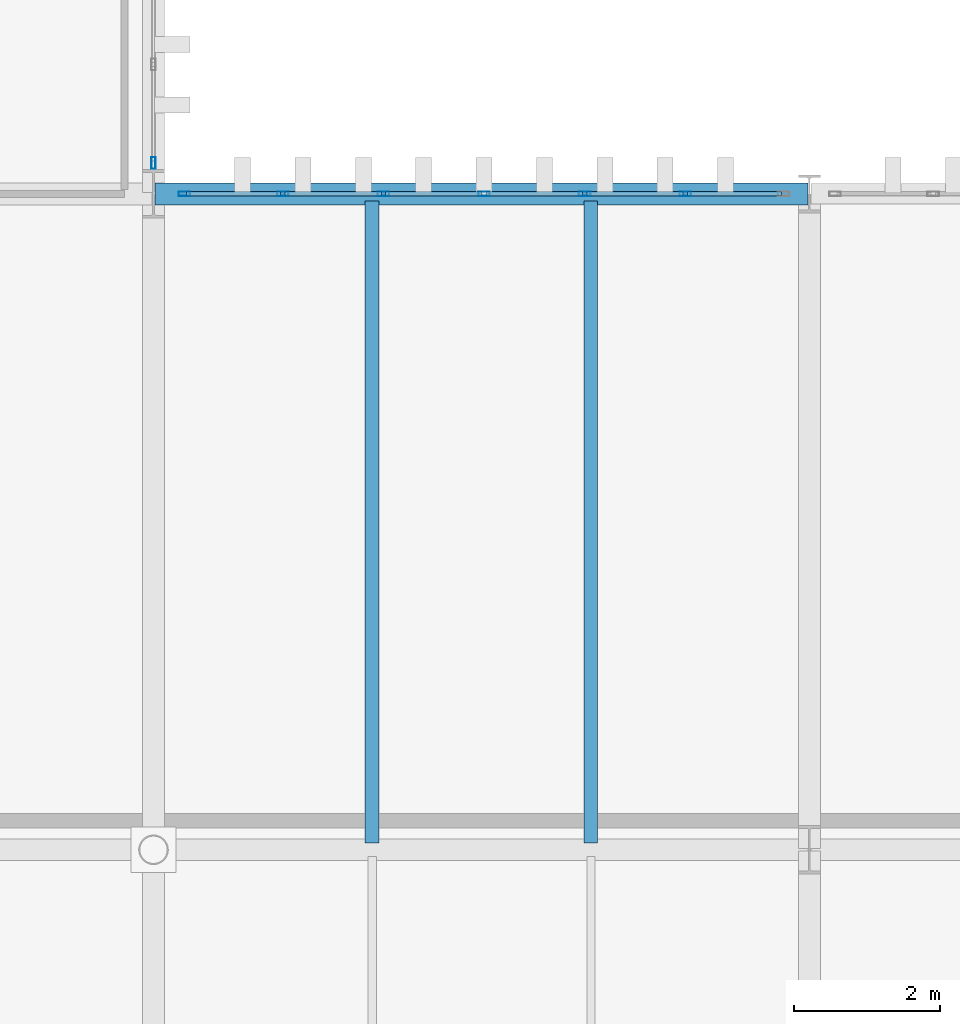
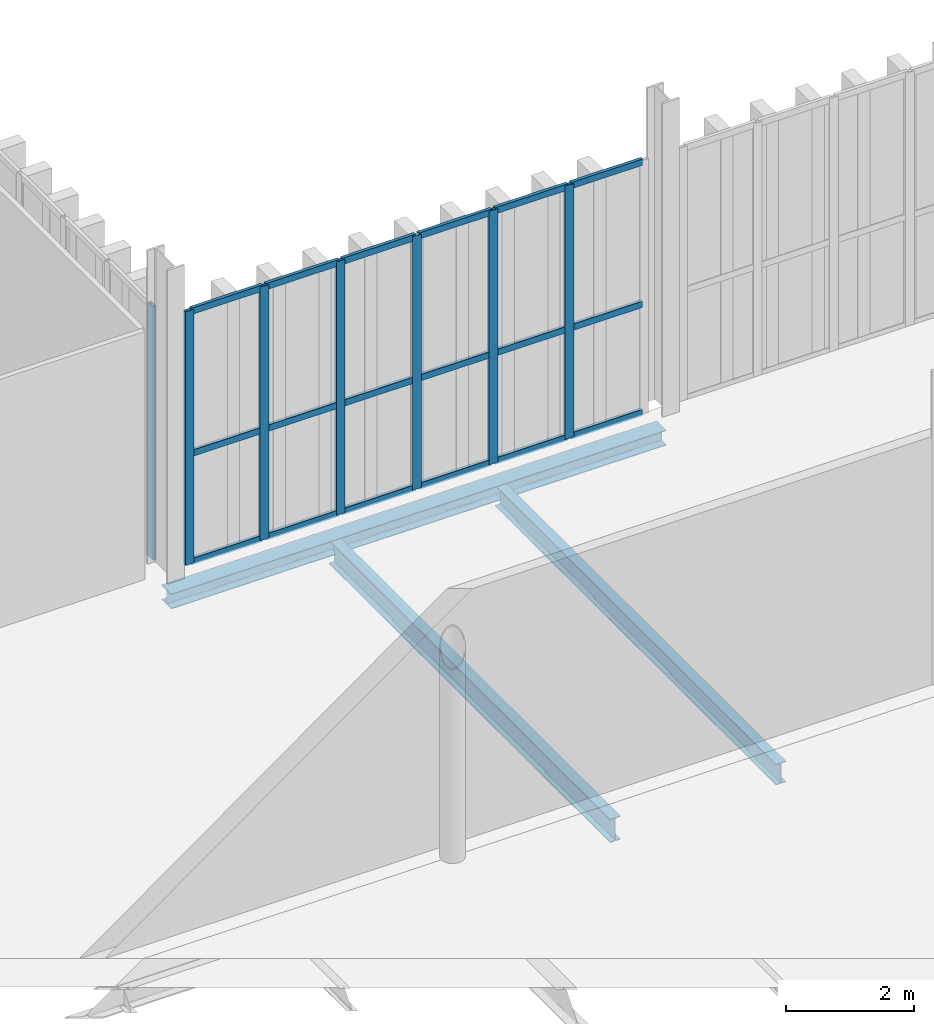
# One storey, part 121 of 237: 25 members, 3 beams, 2 elements without a shape of their own.
"""IFC4 building model written with IfcOpenShell, lengths in metres."""

from ifc_helpers import new_model, si_unit, direction, frame, origin, origin_2d, place, context, subcontext, project, spatial, hollow_rectangle, i_section, extrude, material, layer, layer_set, material_profile, profile_set, type_object, element, aggregate, save


model = new_model("IFC4")

# Units and contexts
model_context = context("Model", 3, precision=1e-05, world=origin(), true_north=direction((0.0, 1.0)))
body_context = subcontext(model_context, "Body", "Model", "MODEL_VIEW")
ifc_project = project(units=[si_unit("LENGTHUNIT", "METRE"), si_unit("AREAUNIT", "SQUARE_METRE"), si_unit("VOLUMEUNIT", "CUBIC_METRE"), si_unit("PLANEANGLEUNIT", "RADIAN"), si_unit("MASSUNIT", "GRAM", prefix="KILO")], contexts=[model_context])

# Site, building, storey
site_placement = place(None, origin())
site = spatial("IfcSite", under=ifc_project, at=site_placement, CompositionType="ELEMENT")
building_placement = place(site_placement, origin())
building = spatial("IfcBuilding", under=site, at=building_placement, Name="Barlavento Convention Centre", CompositionType="ELEMENT")
storey_placement = place(building_placement, frame((0.0, 0.0, 12.0)))
storey = spatial("IfcBuildingStorey", under=building, at=storey_placement, Name="L02", CompositionType="ELEMENT", Elevation=12.0)

# Curtain wall, members
ifc_material_1 = material(Name="Powder-coated aluminium and Low-E glass", Category="aluminium")
ifc_layer = layer(ifc_material_1, 0.195068359375)
ifc_layer_set = layer_set([ifc_layer], Name="ARC-CW-PATIO-A")
curtain_wall_type = type_object("IfcCurtainWallType", Name="ARC-CW-PATIO-A", PredefinedType="NOTDEFINED", material=ifc_layer_set)
curtain_wall_1_placement = place(storey_placement, origin())
curtain_wall_1 = element("IfcCurtainWall", 1, at=curtain_wall_1_placement, inside=storey, type_object=curtain_wall_type, Name="L02 unitised curtain wall CW11", PredefinedType="NOTDEFINED")
ifc_material_2 = material(Name="Powder-coated aluminium", Category="aluminium")
ifc_material_profile_1 = material_profile(ifc_material_2, hollow_rectangle(XDim=0.06005859375, YDim=0.159912109375, WallThickness=0.00390625, at=origin_2d()), Name="AL-MULL 60x160x4")
ifc_profile_set_1 = profile_set([ifc_material_profile_1], Name="Powder-coated aluminium")
member_type_1 = type_object("IfcMemberType", Name="ARC-CWM-60X160", PredefinedType="MULLION", material=ifc_profile_set_1)
member_1_placement = place(storey_placement, frame((135.424072265625, 63.0, 0.0), z_axis=(0.0, 0.0, 1.0), x_axis=(0.0, 1.0, 0.0)))
member_1 = element("IfcMember", 2, at=member_1_placement, type_object=member_type_1, Name="CW11 mullion 1", PredefinedType="MULLION", context=body_context, shape_type="SweptSolid", body=[
    extrude(hollow_rectangle(XDim=0.06005859375, YDim=0.159912109375, WallThickness=0.00390625, at=origin_2d()), origin(), (0.0, 0.0, 1.0), 4.85009765625),
])
member_2_placement = place(storey_placement, frame((136.774658203125, 63.0, 0.0), z_axis=(0.0, 0.0, 1.0), x_axis=(0.0, 1.0, 0.0)))
member_2 = element("IfcMember", 3, at=member_2_placement, type_object=member_type_1, Name="CW11 mullion 2", PredefinedType="MULLION", context=body_context, shape_type="SweptSolid", body=[
    extrude(hollow_rectangle(XDim=0.06005859375, YDim=0.159912109375, WallThickness=0.00390625, at=origin_2d()), origin(), (0.0, 0.0, 1.0), 4.85009765625),
])
member_3_placement = place(storey_placement, frame((138.1552734375, 63.0, 0.0), z_axis=(0.0, 0.0, 1.0), x_axis=(0.0, 1.0, 0.0)))
member_3 = element("IfcMember", 4, at=member_3_placement, type_object=member_type_1, Name="CW11 mullion 3", PredefinedType="MULLION", context=body_context, shape_type="SweptSolid", body=[
    extrude(hollow_rectangle(XDim=0.06005859375, YDim=0.159912109375, WallThickness=0.00390625, at=origin_2d()), origin(), (0.0, 0.0, 1.0), 4.85009765625),
])
member_4_placement = place(storey_placement, frame((139.535888671875, 63.0, 0.0), z_axis=(0.0, 0.0, 1.0), x_axis=(0.0, 1.0, 0.0)))
member_4 = element("IfcMember", 5, at=member_4_placement, type_object=member_type_1, Name="CW11 mullion 4", PredefinedType="MULLION", context=body_context, shape_type="SweptSolid", body=[
    extrude(hollow_rectangle(XDim=0.06005859375, YDim=0.159912109375, WallThickness=0.00390625, at=origin_2d()), origin(), (0.0, 0.0, 1.0), 4.85009765625),
])
member_5_placement = place(storey_placement, frame((140.916748046875, 63.0, 0.0), z_axis=(0.0, 0.0, 1.0), x_axis=(0.0, 1.0, 0.0)))
member_5 = element("IfcMember", 6, at=member_5_placement, type_object=member_type_1, Name="CW11 mullion 5", PredefinedType="MULLION", context=body_context, shape_type="SweptSolid", body=[
    extrude(hollow_rectangle(XDim=0.06005859375, YDim=0.159912109375, WallThickness=0.00390625, at=origin_2d()), origin(), (0.0, 0.0, 1.0), 4.85009765625),
])
member_6_placement = place(storey_placement, frame((142.29736328125, 63.0, 0.0), z_axis=(0.0, 0.0, 1.0), x_axis=(0.0, 1.0, 0.0)))
member_6 = element("IfcMember", 7, at=member_6_placement, type_object=member_type_1, Name="CW11 mullion 6", PredefinedType="MULLION", context=body_context, shape_type="SweptSolid", body=[
    extrude(hollow_rectangle(XDim=0.06005859375, YDim=0.159912109375, WallThickness=0.00390625, at=origin_2d()), origin(), (0.0, 0.0, 1.0), 4.85009765625),
])

# Curtain wall, member
curtain_wall_2_placement = place(storey_placement, origin())
curtain_wall_2 = element("IfcCurtainWall", 8, at=curtain_wall_2_placement, inside=storey, type_object=curtain_wall_type, Name="L02 unitised curtain wall CW11", PredefinedType="NOTDEFINED")
member_7_placement = place(storey_placement, frame((135.0, 63.424072265625, 0.0), z_axis=(0.0, 0.0, 1.0), x_axis=(-1.0, 0.0, 0.0)))
member_7 = element("IfcMember", 9, at=member_7_placement, type_object=member_type_1, Name="CW11 mullion 1", PredefinedType="MULLION", context=body_context, shape_type="SweptSolid", body=[
    extrude(hollow_rectangle(XDim=0.06005859375, YDim=0.159912109375, WallThickness=0.00390625, at=origin_2d()), origin(), (0.0, 0.0, 1.0), 4.85009765625),
])
aggregate(curtain_wall_2, [member_7])

# Member
ifc_material_profile_2 = material_profile(ifc_material_2, hollow_rectangle(XDim=0.06005859375, YDim=0.1201171875, WallThickness=0.00390625, at=origin_2d()), Name="AL-TRAN 60x120x4")
ifc_profile_set_2 = profile_set([ifc_material_profile_2], Name="Powder-coated aluminium")
member_type_2 = type_object("IfcMemberType", Name="ARC-CWT-60X120", PredefinedType="USERDEFINED", material=ifc_profile_set_2)
member_8_placement = place(storey_placement, frame((135.4541015625, 63.0, 0.030029296875), z_axis=(1.0, 0.0, 0.0), x_axis=(0.0, 1.0, 0.0)))
member_8 = element("IfcMember", 10, at=member_8_placement, type_object=member_type_2, Name="CW11 transom 1.1", ObjectType="TRANSOM", PredefinedType="USERDEFINED", context=body_context, shape_type="SweptSolid", body=[
    extrude(hollow_rectangle(XDim=0.06005859375, YDim=0.1201171875, WallThickness=0.00390625, at=origin_2d()), origin(), (0.0, 0.0, 1.0), 1.29052734375),
])

member_9_placement = place(storey_placement, frame((135.4541015625, 63.0, 2.10009765625), z_axis=(1.0, 0.0, 0.0), x_axis=(0.0, 1.0, 0.0)))
member_9 = element("IfcMember", 11, at=member_9_placement, type_object=member_type_2, Name="CW11 transom 1.2", ObjectType="TRANSOM", PredefinedType="USERDEFINED", context=body_context, shape_type="SweptSolid", body=[
    extrude(hollow_rectangle(XDim=0.06005859375, YDim=0.1201171875, WallThickness=0.00390625, at=origin_2d()), origin(), (0.0, 0.0, 1.0), 1.29052734375),
])

member_10_placement = place(storey_placement, frame((135.4541015625, 63.0, 4.820068359375), z_axis=(1.0, 0.0, 0.0), x_axis=(0.0, 1.0, 0.0)))
member_10 = element("IfcMember", 12, at=member_10_placement, type_object=member_type_2, Name="CW11 transom 1.3", ObjectType="TRANSOM", PredefinedType="USERDEFINED", context=body_context, shape_type="SweptSolid", body=[
    extrude(hollow_rectangle(XDim=0.06005859375, YDim=0.1201171875, WallThickness=0.00390625, at=origin_2d()), origin(), (0.0, 0.0, 1.0), 1.29052734375),
])

member_11_placement = place(storey_placement, frame((136.8046875, 63.0, 0.030029296875), z_axis=(1.0, 0.0, 0.0), x_axis=(0.0, 1.0, 0.0)))
member_11 = element("IfcMember", 13, at=member_11_placement, type_object=member_type_2, Name="CW11 transom 2.1", ObjectType="TRANSOM", PredefinedType="USERDEFINED", context=body_context, shape_type="SweptSolid", body=[
    extrude(hollow_rectangle(XDim=0.06005859375, YDim=0.1201171875, WallThickness=0.00390625, at=origin_2d()), origin(), (0.0, 0.0, 1.0), 1.320556640625),
])

member_12_placement = place(storey_placement, frame((136.8046875, 63.0, 2.10009765625), z_axis=(1.0, 0.0, 0.0), x_axis=(0.0, 1.0, 0.0)))
member_12 = element("IfcMember", 14, at=member_12_placement, type_object=member_type_2, Name="CW11 transom 2.2", ObjectType="TRANSOM", PredefinedType="USERDEFINED", context=body_context, shape_type="SweptSolid", body=[
    extrude(hollow_rectangle(XDim=0.06005859375, YDim=0.1201171875, WallThickness=0.00390625, at=origin_2d()), origin(), (0.0, 0.0, 1.0), 1.320556640625),
])

member_13_placement = place(storey_placement, frame((136.8046875, 63.0, 4.820068359375), z_axis=(1.0, 0.0, 0.0), x_axis=(0.0, 1.0, 0.0)))
member_13 = element("IfcMember", 15, at=member_13_placement, type_object=member_type_2, Name="CW11 transom 2.3", ObjectType="TRANSOM", PredefinedType="USERDEFINED", context=body_context, shape_type="SweptSolid", body=[
    extrude(hollow_rectangle(XDim=0.06005859375, YDim=0.1201171875, WallThickness=0.00390625, at=origin_2d()), origin(), (0.0, 0.0, 1.0), 1.320556640625),
])

member_14_placement = place(storey_placement, frame((138.185302734375, 63.0, 0.030029296875), z_axis=(1.0, 0.0, 0.0), x_axis=(0.0, 1.0, 0.0)))
member_14 = element("IfcMember", 16, at=member_14_placement, type_object=member_type_2, Name="CW11 transom 3.1", ObjectType="TRANSOM", PredefinedType="USERDEFINED", context=body_context, shape_type="SweptSolid", body=[
    extrude(hollow_rectangle(XDim=0.06005859375, YDim=0.1201171875, WallThickness=0.00390625, at=origin_2d()), origin(), (0.0, 0.0, 1.0), 1.32080078125),
])

member_15_placement = place(storey_placement, frame((138.185302734375, 63.0, 2.10009765625), z_axis=(1.0, 0.0, 0.0), x_axis=(0.0, 1.0, 0.0)))
member_15 = element("IfcMember", 17, at=member_15_placement, type_object=member_type_2, Name="CW11 transom 3.2", ObjectType="TRANSOM", PredefinedType="USERDEFINED", context=body_context, shape_type="SweptSolid", body=[
    extrude(hollow_rectangle(XDim=0.06005859375, YDim=0.1201171875, WallThickness=0.00390625, at=origin_2d()), origin(), (0.0, 0.0, 1.0), 1.32080078125),
])

member_16_placement = place(storey_placement, frame((138.185302734375, 63.0, 4.820068359375), z_axis=(1.0, 0.0, 0.0), x_axis=(0.0, 1.0, 0.0)))
member_16 = element("IfcMember", 18, at=member_16_placement, type_object=member_type_2, Name="CW11 transom 3.3", ObjectType="TRANSOM", PredefinedType="USERDEFINED", context=body_context, shape_type="SweptSolid", body=[
    extrude(hollow_rectangle(XDim=0.06005859375, YDim=0.1201171875, WallThickness=0.00390625, at=origin_2d()), origin(), (0.0, 0.0, 1.0), 1.32080078125),
])

member_17_placement = place(storey_placement, frame((139.56591796875, 63.0, 0.030029296875), z_axis=(1.0, 0.0, 0.0), x_axis=(0.0, 1.0, 0.0)))
member_17 = element("IfcMember", 19, at=member_17_placement, type_object=member_type_2, Name="CW11 transom 4.1", ObjectType="TRANSOM", PredefinedType="USERDEFINED", context=body_context, shape_type="SweptSolid", body=[
    extrude(hollow_rectangle(XDim=0.06005859375, YDim=0.1201171875, WallThickness=0.00390625, at=origin_2d()), origin(), (0.0, 0.0, 1.0), 1.32080078125),
])

member_18_placement = place(storey_placement, frame((139.56591796875, 63.0, 2.10009765625), z_axis=(1.0, 0.0, 0.0), x_axis=(0.0, 1.0, 0.0)))
member_18 = element("IfcMember", 20, at=member_18_placement, type_object=member_type_2, Name="CW11 transom 4.2", ObjectType="TRANSOM", PredefinedType="USERDEFINED", context=body_context, shape_type="SweptSolid", body=[
    extrude(hollow_rectangle(XDim=0.06005859375, YDim=0.1201171875, WallThickness=0.00390625, at=origin_2d()), origin(), (0.0, 0.0, 1.0), 1.32080078125),
])

member_19_placement = place(storey_placement, frame((139.56591796875, 63.0, 4.820068359375), z_axis=(1.0, 0.0, 0.0), x_axis=(0.0, 1.0, 0.0)))
member_19 = element("IfcMember", 21, at=member_19_placement, type_object=member_type_2, Name="CW11 transom 4.3", ObjectType="TRANSOM", PredefinedType="USERDEFINED", context=body_context, shape_type="SweptSolid", body=[
    extrude(hollow_rectangle(XDim=0.06005859375, YDim=0.1201171875, WallThickness=0.00390625, at=origin_2d()), origin(), (0.0, 0.0, 1.0), 1.32080078125),
])

member_20_placement = place(storey_placement, frame((140.94677734375, 63.0, 0.030029296875), z_axis=(1.0, 0.0, 0.0), x_axis=(0.0, 1.0, 0.0)))
member_20 = element("IfcMember", 22, at=member_20_placement, type_object=member_type_2, Name="CW11 transom 5.1", ObjectType="TRANSOM", PredefinedType="USERDEFINED", context=body_context, shape_type="SweptSolid", body=[
    extrude(hollow_rectangle(XDim=0.06005859375, YDim=0.1201171875, WallThickness=0.00390625, at=origin_2d()), origin(), (0.0, 0.0, 1.0), 1.320556640625),
])

member_21_placement = place(storey_placement, frame((140.94677734375, 63.0, 2.10009765625), z_axis=(1.0, 0.0, 0.0), x_axis=(0.0, 1.0, 0.0)))
member_21 = element("IfcMember", 23, at=member_21_placement, type_object=member_type_2, Name="CW11 transom 5.2", ObjectType="TRANSOM", PredefinedType="USERDEFINED", context=body_context, shape_type="SweptSolid", body=[
    extrude(hollow_rectangle(XDim=0.06005859375, YDim=0.1201171875, WallThickness=0.00390625, at=origin_2d()), origin(), (0.0, 0.0, 1.0), 1.320556640625),
])

member_22_placement = place(storey_placement, frame((140.94677734375, 63.0, 4.820068359375), z_axis=(1.0, 0.0, 0.0), x_axis=(0.0, 1.0, 0.0)))
member_22 = element("IfcMember", 24, at=member_22_placement, type_object=member_type_2, Name="CW11 transom 5.3", ObjectType="TRANSOM", PredefinedType="USERDEFINED", context=body_context, shape_type="SweptSolid", body=[
    extrude(hollow_rectangle(XDim=0.06005859375, YDim=0.1201171875, WallThickness=0.00390625, at=origin_2d()), origin(), (0.0, 0.0, 1.0), 1.320556640625),
])

member_23_placement = place(storey_placement, frame((142.327392578125, 63.0, 0.030029296875), z_axis=(1.0, 0.0, 0.0), x_axis=(0.0, 1.0, 0.0)))
member_23 = element("IfcMember", 25, at=member_23_placement, type_object=member_type_2, Name="CW11 transom 6.1", ObjectType="TRANSOM", PredefinedType="USERDEFINED", context=body_context, shape_type="SweptSolid", body=[
    extrude(hollow_rectangle(XDim=0.06005859375, YDim=0.1201171875, WallThickness=0.00390625, at=origin_2d()), origin(), (0.0, 0.0, 1.0), 1.29052734375),
])

member_24_placement = place(storey_placement, frame((142.327392578125, 63.0, 2.10009765625), z_axis=(1.0, 0.0, 0.0), x_axis=(0.0, 1.0, 0.0)))
member_24 = element("IfcMember", 26, at=member_24_placement, type_object=member_type_2, Name="CW11 transom 6.2", ObjectType="TRANSOM", PredefinedType="USERDEFINED", context=body_context, shape_type="SweptSolid", body=[
    extrude(hollow_rectangle(XDim=0.06005859375, YDim=0.1201171875, WallThickness=0.00390625, at=origin_2d()), origin(), (0.0, 0.0, 1.0), 1.29052734375),
])

member_25_placement = place(storey_placement, frame((142.327392578125, 63.0, 4.820068359375), z_axis=(1.0, 0.0, 0.0), x_axis=(0.0, 1.0, 0.0)))
member_25 = element("IfcMember", 27, at=member_25_placement, type_object=member_type_2, Name="CW11 transom 6.3", ObjectType="TRANSOM", PredefinedType="USERDEFINED", context=body_context, shape_type="SweptSolid", body=[
    extrude(hollow_rectangle(XDim=0.06005859375, YDim=0.1201171875, WallThickness=0.00390625, at=origin_2d()), origin(), (0.0, 0.0, 1.0), 1.29052734375),
])

aggregate(curtain_wall_1, [member_1, member_2, member_3, member_4, member_5, member_6, member_8, member_9, member_10, member_11, member_12, member_13, member_14, member_15, member_16, member_17, member_18, member_19, member_20, member_21, member_22, member_23, member_24, member_25])

# Beams
ifc_material_3 = material(Name="Steel S355", Category="steel")
ifc_material_profile_3 = material_profile(ifc_material_3, i_section(OverallWidth=0.179931640625, OverallDepth=0.39990234375, WebThickness=0.008544921875, FlangeThickness=0.013427734375, FilletRadius=0.02099609375, at=origin_2d()), Name="IPE 400")
ifc_profile_set_3 = profile_set([ifc_material_profile_3], Name="Steel S355")
beam_type_1 = type_object("IfcBeamType", Name="STR-BM-JST-IPE400", PredefinedType="JOIST", material=ifc_profile_set_3)
beam_1_placement = place(storey_placement, frame((141.0, 54.094970703125, -0.570068359375), z_axis=(0.0, 1.0, 0.0), x_axis=(-1.0, 0.0, 0.0)))
element("IfcBeam", 28, at=beam_1_placement, inside=storey, type_object=beam_type_1, Name="L02 composite floor joist SJ04", PredefinedType="JOIST", context=body_context, shape_type="SweptSolid", body=[
    extrude(i_section(OverallWidth=0.179931640625, OverallDepth=0.39990234375, WebThickness=0.008544921875, FlangeThickness=0.013427734375, FilletRadius=0.02099609375, at=origin_2d()), origin(), (0.0, 0.0, 1.0), 8.81005859375),
])
ifc_material_profile_4 = material_profile(ifc_material_3, i_section(OverallWidth=0.18994140625, OverallDepth=0.449951171875, WebThickness=0.009521484375, FlangeThickness=0.0146484375, FilletRadius=0.02099609375, at=origin_2d()), Name="IPE 450")
ifc_profile_set_4 = profile_set([ifc_material_profile_4], Name="Steel S355")
beam_type_2 = type_object("IfcBeamType", Name="STR-BM-JST-IPE450", PredefinedType="JOIST", material=ifc_profile_set_4)
beam_2_placement = place(storey_placement, frame((138.0, 54.094970703125, -0.594970703125), z_axis=(0.0, 1.0, 0.0), x_axis=(-1.0, 0.0, 0.0)))
element("IfcBeam", 29, at=beam_2_placement, inside=storey, type_object=beam_type_2, Name="L02 composite floor joist SJ03", PredefinedType="JOIST", context=body_context, shape_type="SweptSolid", body=[
    extrude(i_section(OverallWidth=0.18994140625, OverallDepth=0.449951171875, WebThickness=0.009521484375, FlangeThickness=0.0146484375, FilletRadius=0.02099609375, at=origin_2d()), origin(), (0.0, 0.0, 1.0), 8.81005859375),
])
ifc_material_profile_5 = material_profile(ifc_material_3, i_section(OverallWidth=0.300048828125, OverallDepth=0.2900390625, WebThickness=0.008544921875, FlangeThickness=0.013916015625, FilletRadius=0.027099609375, at=origin_2d()), Name="HEA 300")
ifc_profile_set_5 = profile_set([ifc_material_profile_5], Name="Steel S355")
beam_type_3 = type_object("IfcBeamType", Name="STR-BM-SPN-HEA300", PredefinedType="SPANDREL", material=ifc_profile_set_5)
beam_3_placement = place(storey_placement, frame((135.02001953125, 63.0, -0.5048828125), z_axis=(1.0, 0.0, 0.0), x_axis=(0.0, 1.0, 0.0)))
element("IfcBeam", 30, at=beam_3_placement, inside=storey, type_object=beam_type_3, Name="L02 primary girder SP02", PredefinedType="SPANDREL", context=body_context, shape_type="SweptSolid", body=[
    extrude(i_section(OverallWidth=0.300048828125, OverallDepth=0.2900390625, WebThickness=0.008544921875, FlangeThickness=0.013916015625, FilletRadius=0.027099609375, at=origin_2d()), origin(), (0.0, 0.0, 1.0), 8.9599609375),
])

save(model, "model.ifc")
